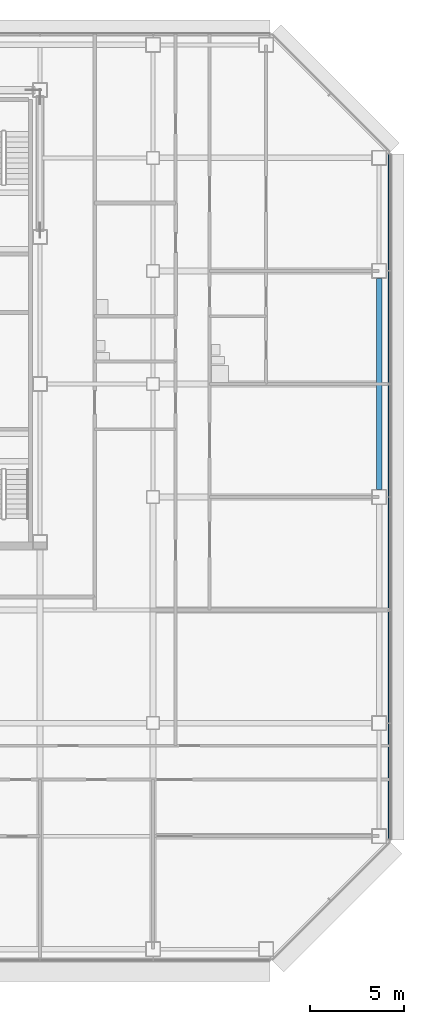
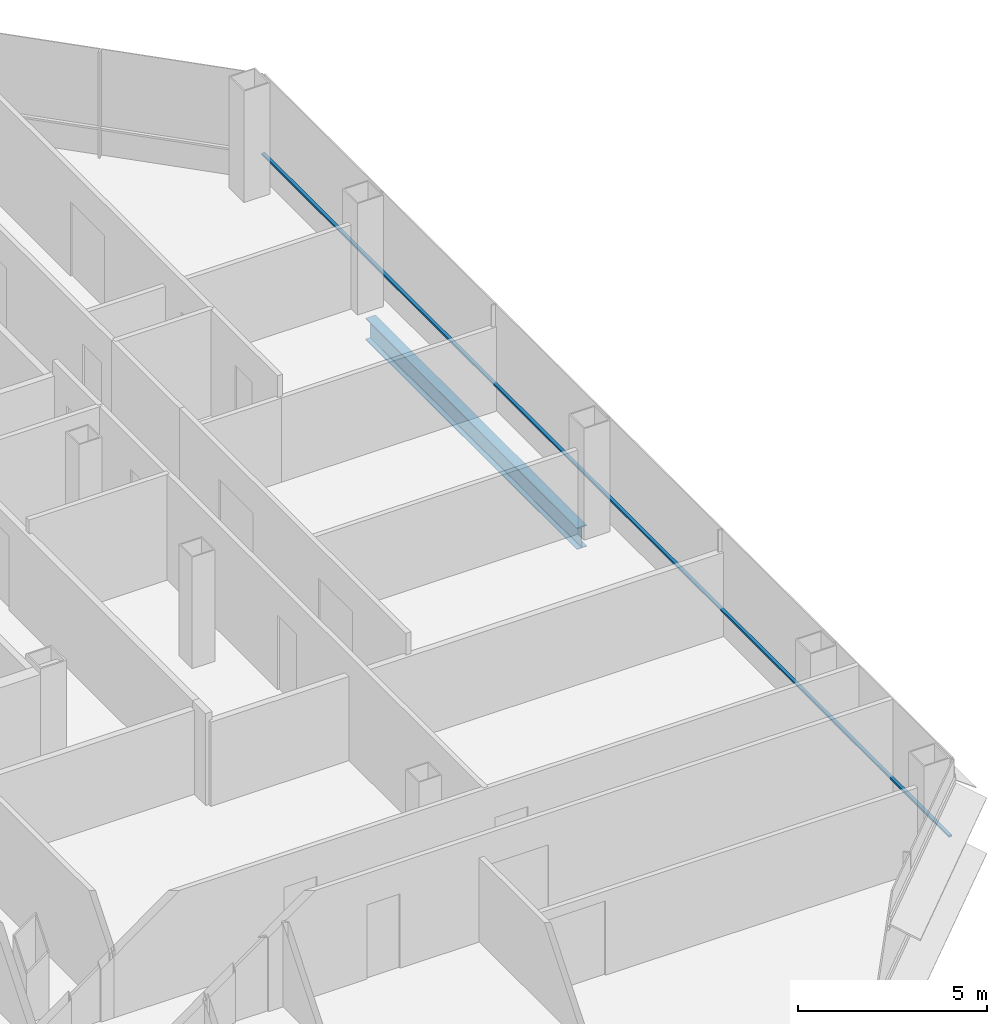
# One storey, part 16 of 25: 1 beam, 1 member, 1 element without a shape of its own.
"""IFC4 building model written with IfcOpenShell, lengths in metres."""

from ifc_helpers import new_model, si_unit, direction, frame, origin, origin_2d, place, context, subcontext, project, spatial, rectangle, i_section, extrude, material, material_profile, profile_set, type_object, element, aggregate, save


model = new_model("IFC4")

# Units and contexts
model_context = context("Model", 3, precision=1e-05, world=origin(), true_north=direction((0.0, 1.0)))
body_context = subcontext(model_context, "Body", "Model", "MODEL_VIEW")
ifc_project = project(units=[si_unit("LENGTHUNIT", "METRE"), si_unit("AREAUNIT", "SQUARE_METRE"), si_unit("VOLUMEUNIT", "CUBIC_METRE"), si_unit("PLANEANGLEUNIT", "RADIAN"), si_unit("MASSUNIT", "GRAM", prefix="KILO")], contexts=[model_context])

# Site, building, storey
site_placement = place(None, origin())
site = spatial("IfcSite", under=ifc_project, at=site_placement, CompositionType="ELEMENT")
building_placement = place(site_placement, origin())
building = spatial("IfcBuilding", under=site, at=building_placement, Name="Sorahane Residences", CompositionType="ELEMENT")
storey_placement = place(building_placement, frame((0.0, 0.0, 119.60009765625)))
storey = spatial("IfcBuildingStorey", under=building, at=storey_placement, Name="L26", CompositionType="ELEMENT", Elevation=119.60009765625)

# Curtain wall, member
ifc_material_1 = material(Name="Dark low-e glass and black anodised aluminium", Category="aluminium")
curtain_wall_type = type_object("IfcCurtainWallType", Name="Curtain wall CW-1 Typical unitised wall", PredefinedType="NOTDEFINED", material=ifc_material_1)
curtain_wall_placement = place(storey_placement, origin())
curtain_wall = element("IfcCurtainWall", 1, at=curtain_wall_placement, inside=storey, type_object=curtain_wall_type, Name="CW-1 curtain wall L26 E1", PredefinedType="NOTDEFINED")
ifc_material_2 = material(Name="Black anodised aluminium", Category="aluminium")
ifc_material_profile_1 = material_profile(ifc_material_2, rectangle(XDim=0.10009765625, YDim=0.06005859375, at=origin_2d()), Name="Curtain wall transom CW-1 black anodised aluminium 60x100")
ifc_profile_set_1 = profile_set([ifc_material_profile_1], Name="Black anodised aluminium")
member_type = type_object("IfcMemberType", Name="Curtain wall transom CW-1 black anodised aluminium 60x100", PredefinedType="USERDEFINED", material=ifc_profile_set_1)
member_placement = place(storey_placement, frame((60.530029296875, 5.801513671875, 0.89990234375), z_axis=(0.0, 1.0, 0.0), x_axis=(-1.0, 0.0, 0.0)))
member = element("IfcMember", 2, at=member_placement, type_object=member_type, Name="CW-1 transom L26 E1", ObjectType="TRANSOM", PredefinedType="USERDEFINED", context=body_context, shape_type="SweptSolid", body=[
    extrude(rectangle(XDim=0.10009765625, YDim=0.06005859375, at=origin_2d()), origin(), (0.0, 0.0, 1.0), 36.39697265625),
])
aggregate(curtain_wall, [member])

# Beam
ifc_material_3 = material(Name="Steel Q355B", Category="steel")
ifc_material_profile_2 = material_profile(ifc_material_3, i_section(OverallWidth=0.300048828125, OverallDepth=0.699951171875, WebThickness=0.012939453125, FlangeThickness=0.02392578125, FilletRadius=0.028076171875, at=origin_2d()), Name="HN 700x300x13x24")
ifc_profile_set_2 = profile_set([ifc_material_profile_2], Name="Steel Q355B")
beam_type = type_object("IfcBeamType", Name="Steel floor beam HN 700x300x13x24 Q355B", PredefinedType="BEAM", material=ifc_profile_set_2)
beam_placement = place(storey_placement, frame((60.0, 24.39990234375, -0.530029296875), z_axis=(0.0, 1.0, 0.0), x_axis=(-1.0, 0.0, 0.0)))
element("IfcBeam", 3, at=beam_placement, inside=storey, type_object=beam_type, Name="Beam L26 066", PredefinedType="BEAM", context=body_context, shape_type="SweptSolid", body=[
    extrude(i_section(OverallWidth=0.300048828125, OverallDepth=0.699951171875, WebThickness=0.012939453125, FlangeThickness=0.02392578125, FilletRadius=0.028076171875, at=origin_2d()), origin(), (0.0, 0.0, 1.0), 11.2001953125),
])

save(model, "model.ifc")
